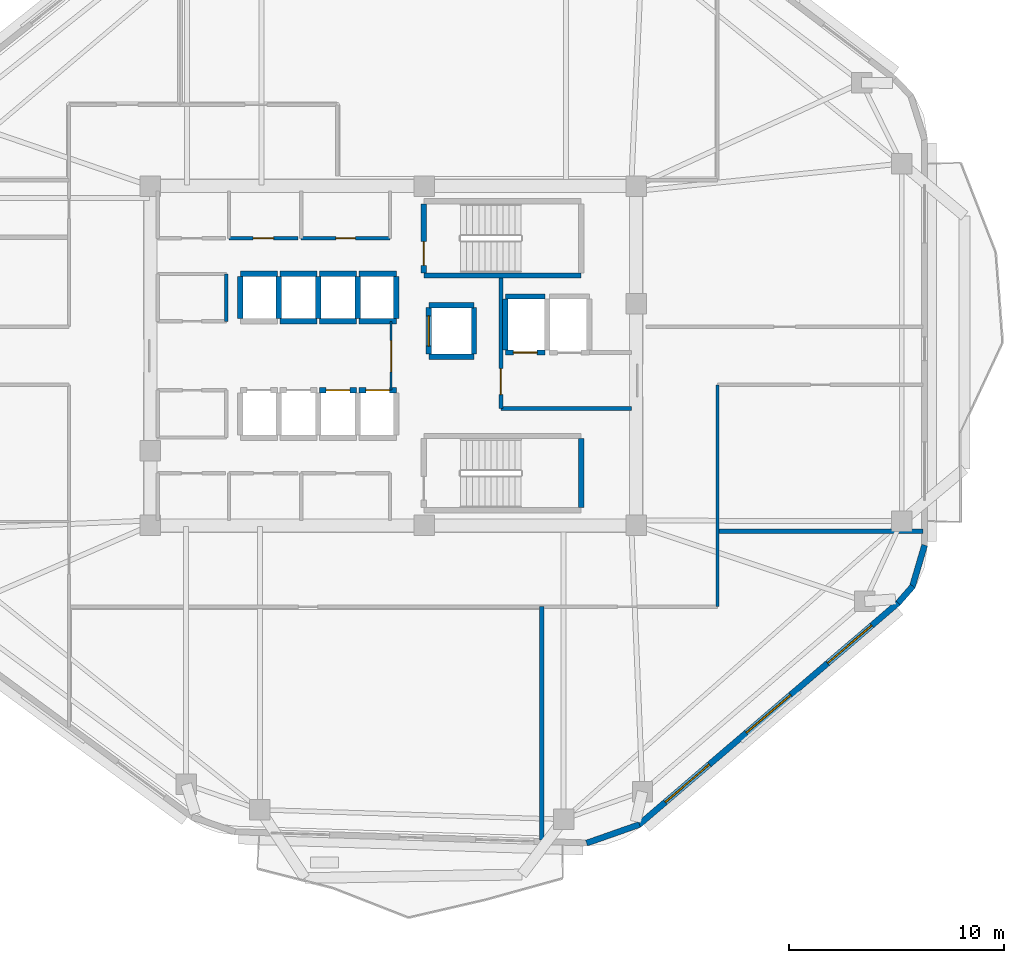
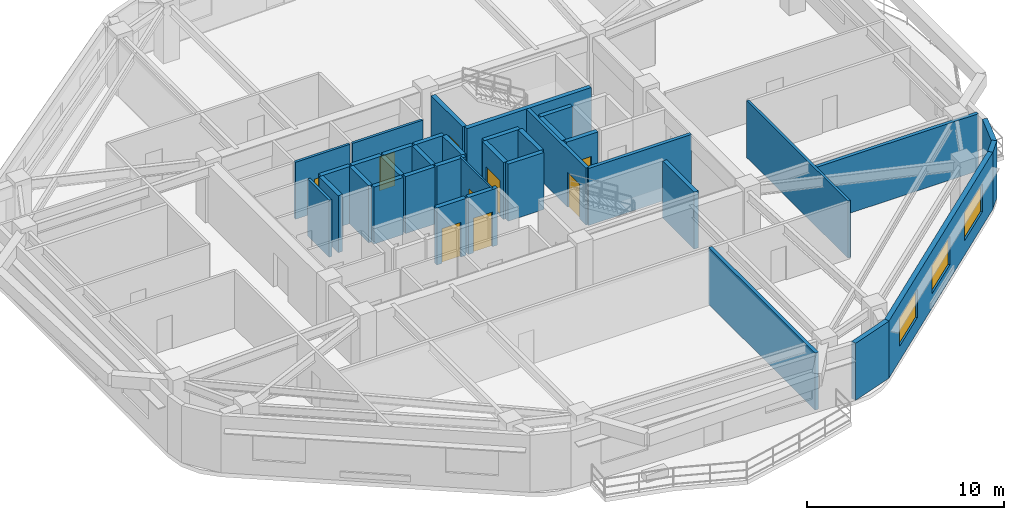
# One storey, part 4 of 8: 37 walls, 9 doors, 3 windows, 12 openings.
"""IFC4 building model written with IfcOpenShell, lengths in metres."""

from ifc_helpers import new_model, si_unit, direction, frame, frame_2d, origin, place, context, subcontext, project, spatial, rectangle, extrude, material, layer, layer_set, type_object, element, fill, save


model = new_model("IFC4")

# Units and contexts
model_context = context("Model", 3, precision=1e-05, world=origin(), true_north=direction((0.0, 1.0)))
body_context = subcontext(model_context, "Body", "Model", "MODEL_VIEW")
ifc_project = project(units=[si_unit("LENGTHUNIT", "METRE"), si_unit("AREAUNIT", "SQUARE_METRE"), si_unit("VOLUMEUNIT", "CUBIC_METRE"), si_unit("PLANEANGLEUNIT", "RADIAN"), si_unit("MASSUNIT", "GRAM", prefix="KILO")], contexts=[model_context])

# Site, building, storey
site_placement = place(None, origin())
site = spatial("IfcSite", under=ifc_project, at=site_placement, CompositionType="ELEMENT")
building_placement = place(site_placement, origin())
building = spatial("IfcBuilding", under=site, at=building_placement, Name="Zulverin Broadcast Headquarters", CompositionType="ELEMENT")
storey_placement = place(building_placement, frame((0.0, 0.0, 166.800048828125)))
storey = spatial("IfcBuildingStorey", under=building, at=storey_placement, Name="L42", CompositionType="ELEMENT", Elevation=166.800048828125)

# Walls
ifc_material_1 = material(Name="Acoustic drywall steel stud", Category="steel")
ifc_layer_1 = layer(ifc_material_1, 0.199951171875, Name="Acoustic drywall steel stud", Category="steel")
ifc_layer_set_1 = layer_set([ifc_layer_1], Name="Acoustic drywall steel stud")
wall_type_1 = type_object("IfcWallType", Name="WL-ACOU-200", PredefinedType="PARTITIONING", material=ifc_layer_set_1)
wall_1_placement = place(storey_placement, frame((43.89990234375, 2.716552734375, 0.0), z_axis=(0.0, 0.0, 1.0), x_axis=(0.0, 1.0, 0.0)))
element("IfcWall", 1, at=wall_1_placement, inside=storey, type_object=wall_type_1, Name="L42 Room Partition Wall RP-03", PredefinedType="PARTITIONING", context=body_context, shape_type="SweptSolid", body=[
    extrude(rectangle(XDim=10.83349609375, YDim=0.199951171875, at=frame_2d((5.416748046875, 0.0))), origin(), (0.0, 0.0, 1.0), 3.5400390625),
])
wall_2_placement = place(storey_placement, frame((52.050048828125, 17.050048828125, 0.0), z_axis=(0.0, 0.0, 1.0), x_axis=(1.0, 0.0, 0.0)))
element("IfcWall", 2, at=wall_2_placement, inside=storey, type_object=wall_type_1, Name="L42 Room Partition Wall RP-09", PredefinedType="PARTITIONING", context=body_context, shape_type="SweptSolid", body=[
    extrude(rectangle(XDim=9.544921875, YDim=0.199951171875, at=frame_2d((4.7724609375, 0.0))), origin(), (0.0, 0.0, 1.0), 3.5400390625),
])

# Wall, openings, windows
ifc_material_2 = material(Name="Insulated pale-metal clad concrete spandrel C40/50", Category="concrete")
ifc_layer_2 = layer(ifc_material_2, 0.280029296875, Name="Insulated pale-metal clad concrete spandrel C40/50", Category="concrete")
ifc_layer_set_2 = layer_set([ifc_layer_2], Name="Insulated pale-metal clad concrete spandrel C40/50")
wall_type_2 = type_object("IfcWallType", Name="WL-EXT-280", PredefinedType="STANDARD", material=ifc_layer_set_2)
wall_3_placement = place(storey_placement, frame((48.38525390625, 3.413818359375, 0.0), z_axis=(0.0, 0.0, 1.0), x_axis=(0.759700260779, 0.650273414628, 0.0)))
wall_3 = element("IfcWall", 3, at=wall_3_placement, inside=storey, type_object=wall_type_2, Name="L42 Pale-Metal Clad Spandrel Wall 2", PredefinedType="STANDARD", context=body_context, shape_type="SweptSolid", body=[
    extrude(rectangle(XDim=15.880859375, YDim=0.280029296875, at=frame_2d((7.9404296875, 0.0))), origin(), (0.0, 0.0, 1.0), 3.5400390625),
])
opening_1_placement = place(wall_3_placement, frame((1.630126953125, 0.0, 0.89990234375)))
opening_1 = element("IfcOpeningElement", 4, at=opening_1_placement, cuts=wall_3, Name="Opening W-L42-E21", PredefinedType="OPENING", context=body_context, shape_type="SweptSolid", body=[
    extrude(rectangle(XDim=2.699951171875, YDim=1.75, at=frame_2d((1.35009765625, 0.875))), frame((0.0, 0.14990234375, 0.0), z_axis=(0.0, -1.0, 0.0), x_axis=(1.0, 0.0, 0.0)), (0.0, 0.0, 1.0), 0.300048828125),
])
opening_2_placement = place(wall_3_placement, frame((6.59033203125, 0.0, 0.89990234375)))
opening_2 = element("IfcOpeningElement", 5, at=opening_2_placement, cuts=wall_3, Name="Opening W-L42-E22", PredefinedType="OPENING", context=body_context, shape_type="SweptSolid", body=[
    extrude(rectangle(XDim=2.699951171875, YDim=1.75, at=frame_2d((1.35009765625, 0.875))), frame((0.0, 0.14990234375, 0.0), z_axis=(0.0, -1.0, 0.0), x_axis=(1.0, 0.0, 0.0)), (0.0, 0.0, 1.0), 0.300048828125),
])
opening_3_placement = place(wall_3_placement, frame((11.55078125, 0.0, 0.89990234375)))
opening_3 = element("IfcOpeningElement", 6, at=opening_3_placement, cuts=wall_3, Name="Opening W-L42-E23", PredefinedType="OPENING", context=body_context, shape_type="SweptSolid", body=[
    extrude(rectangle(XDim=2.699951171875, YDim=1.75, at=frame_2d((1.35009765625, 0.875))), frame((0.0, 0.14990234375, 0.0), z_axis=(0.0, -1.0, 0.0), x_axis=(1.0, 0.0, 0.0)), (0.0, 0.0, 1.0), 0.300048828125),
])
ifc_material_3 = material(Name="Pale anodized aluminium frame with solar-control low-E double glazing", Category="aluminium")
window_type = type_object("IfcWindowType", Name="WIN-TWR-2700", PartitioningType="SINGLE_PANEL", PredefinedType="WINDOW", material=ifc_material_3)
window_1_placement = place(opening_1_placement, origin())
window_1 = element("IfcWindow", 7, at=window_1_placement, inside=storey, type_object=window_type, Name="L42 Ribbon Glazing Window 2 1", OverallHeight=1.75, OverallWidth=2.699951171875, PartitioningType="SINGLE_PANEL", PredefinedType="WINDOW", context=body_context, shape_type="SweptSolid", body=[
    extrude(rectangle(XDim=2.699951171875, YDim=1.75, at=frame_2d((1.35009765625, 0.875))), frame((0.0, 0.030029296875, 0.0), z_axis=(0.0, -1.0, 0.0), x_axis=(1.0, 0.0, 0.0)), (0.0, 0.0, 1.0), 0.06005859375),
])
fill(opening_1, window_1)
window_2_placement = place(opening_2_placement, origin())
window_2 = element("IfcWindow", 8, at=window_2_placement, inside=storey, type_object=window_type, Name="L42 Ribbon Glazing Window 2 2", OverallHeight=1.75, OverallWidth=2.699951171875, PartitioningType="SINGLE_PANEL", PredefinedType="WINDOW", context=body_context, shape_type="SweptSolid", body=[
    extrude(rectangle(XDim=2.699951171875, YDim=1.75, at=frame_2d((1.35009765625, 0.875))), frame((0.0, 0.030029296875, 0.0), z_axis=(0.0, -1.0, 0.0), x_axis=(1.0, 0.0, 0.0)), (0.0, 0.0, 1.0), 0.06005859375),
])
fill(opening_2, window_2)
window_3_placement = place(opening_3_placement, origin())
window_3 = element("IfcWindow", 9, at=window_3_placement, inside=storey, type_object=window_type, Name="L42 Ribbon Glazing Window 2 3", OverallHeight=1.75, OverallWidth=2.699951171875, PartitioningType="SINGLE_PANEL", PredefinedType="WINDOW", context=body_context, shape_type="SweptSolid", body=[
    extrude(rectangle(XDim=2.699951171875, YDim=1.75, at=frame_2d((1.35009765625, 0.875))), frame((0.0, 0.030029296875, 0.0), z_axis=(0.0, -1.0, 0.0), x_axis=(1.0, 0.0, 0.0)), (0.0, 0.0, 1.0), 0.06005859375),
])
fill(opening_3, window_3)

# Walls
wall_4_placement = place(storey_placement, frame((45.974609375, 2.576416015625, 0.0), z_axis=(0.0, 0.0, 1.0), x_axis=(0.943377643365, 0.331720698781, 0.0)))
element("IfcWall", 10, at=wall_4_placement, inside=storey, type_object=wall_type_2, Name="L42 Wind-Shaped Corner Spandrel Wall 1-1", PredefinedType="STANDARD", context=body_context, shape_type="SweptSolid", body=[
    extrude(rectangle(XDim=2.6025390625, YDim=0.280029296875, at=frame_2d((1.30126953125, 0.0))), origin(), (0.0, 0.0, 1.0), 3.5400390625),
])
wall_5_placement = place(storey_placement, frame((60.435791015625, 13.7265625, 0.0), z_axis=(0.0, 0.0, 1.0), x_axis=(0.658571618609, 0.752518055041, 0.0)))
element("IfcWall", 11, at=wall_5_placement, inside=storey, type_object=wall_type_2, Name="L42 Wind-Shaped Corner Spandrel Wall 2-1", PredefinedType="STANDARD", context=body_context, shape_type="SweptSolid", body=[
    extrude(rectangle(XDim=1.03173828125, YDim=0.280029296875, at=frame_2d((0.515869140625, 0.0))), origin(), (0.0, 0.0, 1.0), 3.5400390625),
])
wall_6_placement = place(storey_placement, frame((61.08642578125, 14.450439453125, 0.0), z_axis=(0.0, 0.0, 1.0), x_axis=(0.283660953453, 0.958924639107, 0.0)))
element("IfcWall", 12, at=wall_6_placement, inside=storey, type_object=wall_type_2, Name="L42 Wind-Shaped Corner Spandrel Wall 2-2", PredefinedType="STANDARD", context=body_context, shape_type="SweptSolid", body=[
    extrude(rectangle(XDim=2.04248046875, YDim=0.280029296875, at=frame_2d((1.021240234375, 0.0))), origin(), (0.0, 0.0, 1.0), 3.5400390625),
])

# Wall, opening, door
ifc_material_4 = material(Name="Concrete C40/50", Category="concrete")
ifc_layer_3 = layer(ifc_material_4, 0.199951171875, Name="Concrete C40/50", Category="concrete")
ifc_layer_set_3 = layer_set([ifc_layer_3], Name="Concrete C40/50")
wall_type_3 = type_object("IfcWallType", Name="WL-FFL-200", PredefinedType="SOLIDWALL", material=ifc_layer_set_3)
wall_7_placement = place(storey_placement, frame((42.0, 22.75, 0.0), z_axis=(0.0, 0.0, 1.0), x_axis=(0.0, 1.0, 0.0)))
wall_7 = element("IfcWall", 13, at=wall_7_placement, inside=storey, type_object=wall_type_3, Name="L42 Firefighting Lift Lobby West Wall", PredefinedType="SOLIDWALL", context=body_context, shape_type="SweptSolid", body=[
    extrude(rectangle(XDim=6.050048828125, YDim=0.199951171875, at=frame_2d((3.02490234375, 0.0))), origin(), (0.0, 0.0, 1.0), 3.5400390625),
])
opening_4_placement = place(wall_7_placement, frame((0.64990234375, 0.0, 0.0)))
opening_4 = element("IfcOpeningElement", 14, at=opening_4_placement, cuts=wall_7, Name="Opening D-L42-FFLW", PredefinedType="OPENING", context=body_context, shape_type="SweptSolid", body=[
    extrude(rectangle(XDim=1.199951171875, YDim=2.14990234375, at=frame_2d((0.60009765625, 1.074951171875))), frame((0.0, 0.10986328125, 0.0), z_axis=(0.0, -1.0, 0.0), x_axis=(1.0, 0.0, 0.0)), (0.0, 0.0, 1.0), 0.219970703125),
])
ifc_material_5 = material(Name="Fire-rated steel leaf and frame", Category="steel")
door_type_1 = type_object("IfcDoorType", Name="DR-FFL-1200", OperationType="SINGLE_SWING_RIGHT", PredefinedType="DOOR", material=ifc_material_5)
door_1_placement = place(opening_4_placement, origin())
door_1 = element("IfcDoor", 15, at=door_1_placement, inside=storey, type_object=door_type_1, Name="L42 Firefighting Lift Lobby Door", OperationType="SINGLE_SWING_RIGHT", OverallHeight=2.14990234375, OverallWidth=1.199951171875, PredefinedType="DOOR", context=body_context, shape_type="SweptSolid", body=[
    extrude(rectangle(XDim=1.199951171875, YDim=2.14990234375, at=frame_2d((0.60009765625, 1.074951171875))), frame((0.0, 0.02490234375, 0.0), z_axis=(0.0, -1.0, 0.0), x_axis=(1.0, 0.0, 0.0)), (0.0, 0.0, 1.0), 0.050048828125),
])
fill(opening_4, door_1)

# Wall
wall_8_placement = place(storey_placement, frame((42.0, 22.75, 0.0), z_axis=(0.0, 0.0, 1.0), x_axis=(1.0, 0.0, 0.0)))
element("IfcWall", 16, at=wall_8_placement, inside=storey, type_object=wall_type_3, Name="L42 Firefighting Lift Lobby South Wall", PredefinedType="SOLIDWALL", context=body_context, shape_type="SweptSolid", body=[
    extrude(rectangle(XDim=6.050048828125, YDim=0.199951171875, at=frame_2d((3.02490234375, 0.0))), origin(), (0.0, 0.0, 1.0), 3.5400390625),
])

# Wall, opening, door
ifc_material_6 = material(Name="Fire-rated acoustic laminated glass screen", Category="glass")
ifc_layer_4 = layer(ifc_material_6, 0.10009765625, Name="Fire-rated acoustic laminated glass screen", Category="glass")
ifc_layer_set_4 = layer_set([ifc_layer_4], Name="Fire-rated acoustic laminated glass screen")
wall_type_4 = type_object("IfcWallType", Name="WL-GLAZ-100", PredefinedType="PARTITIONING", material=ifc_layer_set_4)
wall_9_placement = place(storey_placement, frame((36.89990234375, 23.60009765625, 0.0), z_axis=(0.0, 0.0, 1.0), x_axis=(0.0, 1.0, 0.0)))
wall_9 = element("IfcWall", 17, at=wall_9_placement, inside=storey, type_object=wall_type_4, Name="L42 Core Goods & Stair Hall Screen", PredefinedType="PARTITIONING", context=body_context, shape_type="SweptSolid", body=[
    extrude(rectangle(XDim=3.199951171875, YDim=0.10009765625, at=frame_2d((1.60009765625, 0.0))), origin(), (0.0, 0.0, 1.0), 3.5400390625),
])
opening_5_placement = place(wall_9_placement, frame((0.85009765625, 0.0, 0.0)))
opening_5 = element("IfcOpeningElement", 18, at=opening_5_placement, cuts=wall_9, Name="Opening D-L42-CL3", PredefinedType="OPENING", context=body_context, shape_type="SweptSolid", body=[
    extrude(rectangle(XDim=1.449951171875, YDim=2.1201171875, at=frame_2d((0.72509765625, 1.06005859375))), frame((0.0, 0.06005859375, 0.0), z_axis=(0.0, -1.0, 0.0), x_axis=(1.0, 0.0, 0.0)), (0.0, 0.0, 1.0), 0.1201171875),
])
ifc_material_7 = material(Name="Fire-rated acoustic glazed double leaf", Category="glass")
door_type_2 = type_object("IfcDoorType", Name="DR-GLZ-1450", OperationType="DOUBLE_DOOR_SINGLE_SWING", PredefinedType="DOOR", material=ifc_material_7)
door_2_placement = place(opening_5_placement, origin())
door_2 = element("IfcDoor", 19, at=door_2_placement, inside=storey, type_object=door_type_2, Name="L42 Core Goods & Stair Hall Door", OperationType="DOUBLE_DOOR_SINGLE_SWING", OverallHeight=2.1201171875, OverallWidth=1.449951171875, PredefinedType="DOOR", context=body_context, shape_type="SweptSolid", body=[
    extrude(rectangle(XDim=1.449951171875, YDim=2.1201171875, at=frame_2d((0.72509765625, 1.06005859375))), frame((0.0, 0.02490234375, 0.0), z_axis=(0.0, -1.0, 0.0), x_axis=(1.0, 0.0, 0.0)), (0.0, 0.0, 1.0), 0.050048828125),
])
fill(opening_5, door_2)

ifc_material_8 = material(Name="Fire-rated gypsum stud partition", Category="gypsum")
ifc_layer_5 = layer(ifc_material_8, 0.14990234375, Name="Fire-rated gypsum stud partition", Category="gypsum")
ifc_layer_set_5 = layer_set([ifc_layer_5], Name="Fire-rated gypsum stud partition")
wall_type_5 = type_object("IfcWallType", Name="WL-PART-150", PredefinedType="PARTITIONING", material=ifc_layer_set_5)
wall_10_placement = place(storey_placement, frame((29.3798828125, 30.64990234375, 0.0), z_axis=(0.0, 0.0, 1.0), x_axis=(1.0, 0.0, 0.0)))
wall_10 = element("IfcWall", 20, at=wall_10_placement, inside=storey, type_object=wall_type_5, Name="L42 Core Accessible WC Front Wall", PredefinedType="PARTITIONING", context=body_context, shape_type="SweptSolid", body=[
    extrude(rectangle(XDim=3.190185546875, YDim=0.14990234375, at=frame_2d((1.59521484375, 0.0))), origin(), (0.0, 0.0, 1.0), 3.5400390625),
])
opening_6_placement = place(wall_10_placement, frame((1.1201171875, 0.0, 0.0)))
opening_6 = element("IfcOpeningElement", 21, at=opening_6_placement, cuts=wall_10, Name="Opening D-L42-NC2", PredefinedType="OPENING", context=body_context, shape_type="SweptSolid", body=[
    extrude(rectangle(XDim=0.949951171875, YDim=2.10009765625, at=frame_2d((0.47509765625, 1.050048828125))), frame((0.0, 0.0849609375, 0.0), z_axis=(0.0, -1.0, 0.0), x_axis=(1.0, 0.0, 0.0)), (0.0, 0.0, 1.0), 0.169921875),
])
ifc_material_9 = material(Name="Fire-rated moisture-resistant laminate leaf", Category="wood")
door_type_3 = type_object("IfcDoorType", Name="DR-WC-950", OperationType="SINGLE_SWING_LEFT", PredefinedType="DOOR", material=ifc_material_9)
door_3_placement = place(opening_6_placement, origin())
door_3 = element("IfcDoor", 22, at=door_3_placement, inside=storey, type_object=door_type_3, Name="L42 Accessible WC Door", OperationType="SINGLE_SWING_RIGHT", OverallHeight=2.10009765625, OverallWidth=0.949951171875, PredefinedType="DOOR", context=body_context, shape_type="SweptSolid", body=[
    extrude(rectangle(XDim=0.949951171875, YDim=2.10009765625, at=frame_2d((0.47509765625, 1.050048828125))), frame((0.0, 0.02490234375, 0.0), z_axis=(0.0, -1.0, 0.0), x_axis=(1.0, 0.0, 0.0)), (0.0, 0.0, 1.0), 0.050048828125),
])
fill(opening_6, door_3)

wall_11_placement = place(storey_placement, frame((32.72998046875, 30.64990234375, 0.0), z_axis=(0.0, 0.0, 1.0), x_axis=(1.0, 0.0, 0.0)))
wall_11 = element("IfcWall", 23, at=wall_11_placement, inside=storey, type_object=wall_type_5, Name="L42 Core Electrical Distribution Riser Front Wall", PredefinedType="PARTITIONING", context=body_context, shape_type="SweptSolid", body=[
    extrude(rectangle(XDim=4.1201171875, YDim=0.14990234375, at=frame_2d((2.06005859375, 0.0))), origin(), (0.0, 0.0, 1.0), 3.5400390625),
])
opening_7_placement = place(wall_11_placement, frame((1.610107421875, 0.0, 0.0)))
opening_7 = element("IfcOpeningElement", 24, at=opening_7_placement, cuts=wall_11, Name="Opening D-L42-NC3", PredefinedType="OPENING", context=body_context, shape_type="SweptSolid", body=[
    extrude(rectangle(XDim=0.89990234375, YDim=2.10009765625, at=frame_2d((0.449951171875, 1.050048828125))), frame((0.0, 0.0849609375, 0.0), z_axis=(0.0, -1.0, 0.0), x_axis=(1.0, 0.0, 0.0)), (0.0, 0.0, 1.0), 0.169921875),
])
ifc_material_10 = material(Name="Powder-coated steel access leaf", Category="steel")
door_type_4 = type_object("IfcDoorType", Name="DR-RISER-900", OperationType="SINGLE_SWING_LEFT", PredefinedType="DOOR", material=ifc_material_10)
door_4_placement = place(opening_7_placement, origin())
door_4 = element("IfcDoor", 25, at=door_4_placement, inside=storey, type_object=door_type_4, Name="L42 Electrical Distribution Riser Door", OperationType="SINGLE_SWING_LEFT", OverallHeight=2.10009765625, OverallWidth=0.89990234375, PredefinedType="DOOR", context=body_context, shape_type="SweptSolid", body=[
    extrude(rectangle(XDim=0.89990234375, YDim=2.10009765625, at=frame_2d((0.449951171875, 1.050048828125))), frame((0.0, 0.02490234375, 0.0), z_axis=(0.0, -1.0, 0.0), x_axis=(1.0, 0.0, 0.0)), (0.0, 0.0, 1.0), 0.050048828125),
])
fill(opening_7, door_4)

# Walls
wall_12_placement = place(storey_placement, frame((29.25, 26.800048828125, 0.0), z_axis=(0.0, 0.0, 1.0), x_axis=(0.0, 1.0, 0.0)))
element("IfcWall", 26, at=wall_12_placement, inside=storey, type_object=wall_type_5, Name="L42 Core UPS Battery Store E Wall", PredefinedType="PARTITIONING", context=body_context, shape_type="SweptSolid", body=[
    extrude(rectangle(XDim=2.199951171875, YDim=0.14990234375, at=frame_2d((1.10009765625, 0.0))), origin(), (0.0, 0.0, 1.0), 3.5400390625),
])
wall_13_placement = place(storey_placement, frame((52.050048828125, 13.550048828125, 0.0), z_axis=(0.0, 0.0, 1.0), x_axis=(0.0, 1.0, 0.0)))
element("IfcWall", 27, at=wall_13_placement, inside=storey, type_object=wall_type_5, Name="L42 Gallery Partition Wall CG-01", PredefinedType="PARTITIONING", context=body_context, shape_type="SweptSolid", body=[
    extrude(rectangle(XDim=10.300048828125, YDim=0.14990234375, at=frame_2d((5.14990234375, 0.0))), origin(), (0.0, 0.0, 1.0), 3.5400390625),
])
ifc_material_11 = material(Name="Concrete C50/60", Category="concrete")
ifc_layer_6 = layer(ifc_material_11, 0.25, Name="Concrete C50/60", Category="concrete")
ifc_layer_set_6 = layer_set([ifc_layer_6], Name="Concrete C50/60")
wall_type_6 = type_object("IfcWallType", Name="WL-SHAFT-250", PredefinedType="SHEAR", material=ifc_layer_set_6)
wall_14_placement = place(storey_placement, frame((38.425048828125, 28.925048828125, 0.0), z_axis=(0.0, 0.0, 1.0), x_axis=(1.0, 0.0, 0.0)))
element("IfcWall", 28, at=wall_14_placement, inside=storey, type_object=wall_type_6, Name="L42 ST-1 Enclosure Wall S", PredefinedType="SHEAR", context=body_context, shape_type="SweptSolid", body=[
    extrude(rectangle(XDim=7.300048828125, YDim=0.25, at=frame_2d((3.64990234375, 0.0))), origin(), (0.0, 0.0, 1.0), 3.5400390625),
])

# Wall, opening, door
wall_15_placement = place(storey_placement, frame((38.425048828125, 29.050048828125, 0.0), z_axis=(0.0, 0.0, 1.0), x_axis=(0.0, 1.0, 0.0)))
wall_15 = element("IfcWall", 29, at=wall_15_placement, inside=storey, type_object=wall_type_6, Name="L42 ST-1 Enclosure Wall W", PredefinedType="SHEAR", context=body_context, shape_type="SweptSolid", body=[
    extrude(rectangle(XDim=3.199951171875, YDim=0.25, at=frame_2d((1.60009765625, 0.0))), origin(), (0.0, 0.0, 1.0), 3.5400390625),
])
opening_8_placement = place(wall_15_placement, frame((0.35009765625, 0.0, 0.0)))
opening_8 = element("IfcOpeningElement", 30, at=opening_8_placement, cuts=wall_15, Name="Opening D-L42-ST-1", PredefinedType="OPENING", context=body_context, shape_type="SweptSolid", body=[
    extrude(rectangle(XDim=1.10009765625, YDim=2.14990234375, at=frame_2d((0.550048828125, 1.074951171875))), frame((0.0, 0.135009765625, 0.0), z_axis=(0.0, -1.0, 0.0), x_axis=(1.0, 0.0, 0.0)), (0.0, 0.0, 1.0), 0.27001953125),
])
door_type_5 = type_object("IfcDoorType", Name="DR-STAIR-1100", OperationType="SINGLE_SWING_LEFT", PredefinedType="DOOR", material=ifc_material_5)
door_5_placement = place(opening_8_placement, origin())
door_5 = element("IfcDoor", 31, at=door_5_placement, inside=storey, type_object=door_type_5, Name="L42 Exit Stair ST-1 Fire Door", OperationType="SINGLE_SWING_LEFT", OverallHeight=2.14990234375, OverallWidth=1.10009765625, PredefinedType="DOOR", context=body_context, shape_type="SweptSolid", body=[
    extrude(rectangle(XDim=1.10009765625, YDim=2.14990234375, at=frame_2d((0.550048828125, 1.074951171875))), frame((0.0, 0.02490234375, 0.0), z_axis=(0.0, -1.0, 0.0), x_axis=(1.0, 0.0, 0.0)), (0.0, 0.0, 1.0), 0.050048828125),
])
fill(opening_8, door_5)

# Wall
wall_16_placement = place(storey_placement, frame((45.72509765625, 18.14990234375, 0.0), z_axis=(0.0, 0.0, 1.0), x_axis=(0.0, 1.0, 0.0)))
element("IfcWall", 32, at=wall_16_placement, inside=storey, type_object=wall_type_6, Name="L42 ST-2 Enclosure Wall E", PredefinedType="SHEAR", context=body_context, shape_type="SweptSolid", body=[
    extrude(rectangle(XDim=3.2001953125, YDim=0.25, at=frame_2d((1.60009765625, 0.0))), origin(), (0.0, 0.0, 1.0), 3.5400390625),
])

# Wall, opening, door
wall_17_placement = place(storey_placement, frame((33.580078125, 23.60009765625, 0.0), z_axis=(0.0, 0.0, 1.0), x_axis=(1.0, 0.0, 0.0)))
wall_17 = element("IfcWall", 33, at=wall_17_placement, inside=storey, type_object=wall_type_6, Name="L42 Lift PL-M3 Shaft Wall N", PredefinedType="SHEAR", context=body_context, shape_type="SweptSolid", body=[
    extrude(rectangle(XDim=1.719970703125, YDim=0.25, at=frame_2d((0.85986328125, 0.0))), origin(), (0.0, 0.0, 1.0), 3.5400390625),
])
opening_9_placement = place(wall_17_placement, frame((0.31005859375, 0.0, 0.0)))
opening_9 = element("IfcOpeningElement", 34, at=opening_9_placement, cuts=wall_17, Name="Opening LD-PL-M3-L42", PredefinedType="OPENING", context=body_context, shape_type="SweptSolid", body=[
    extrude(rectangle(XDim=1.10009765625, YDim=2.14990234375, at=frame_2d((0.550048828125, 1.074951171875))), frame((0.0, 0.135009765625, 0.0), z_axis=(0.0, -1.0, 0.0), x_axis=(1.0, 0.0, 0.0)), (0.0, 0.0, 1.0), 0.27001953125),
])
ifc_material_12 = material(Name="Brushed stainless steel landing", Category="steel")
door_type_6 = type_object("IfcDoorType", Name="LD-PASS-1100", OperationType="DOUBLE_DOOR_SLIDING", PredefinedType="DOOR", material=ifc_material_12)
door_6_placement = place(opening_9_placement, origin())
door_6 = element("IfcDoor", 35, at=door_6_placement, inside=storey, type_object=door_type_6, Name="L42 Lift PL-M3 Sliding Landing Door", OperationType="DOUBLE_DOOR_SLIDING", OverallHeight=2.14990234375, OverallWidth=1.10009765625, PredefinedType="DOOR", context=body_context, shape_type="SweptSolid", body=[
    extrude(rectangle(XDim=1.10009765625, YDim=2.14990234375, at=frame_2d((0.550048828125, 1.074951171875))), frame((0.0, 0.02490234375, 0.0), z_axis=(0.0, -1.0, 0.0), x_axis=(1.0, 0.0, 0.0)), (0.0, 0.0, 1.0), 0.050048828125),
])
fill(opening_9, door_6)

wall_18_placement = place(storey_placement, frame((35.419921875, 23.60009765625, 0.0), z_axis=(0.0, 0.0, 1.0), x_axis=(1.0, 0.0, 0.0)))
wall_18 = element("IfcWall", 36, at=wall_18_placement, inside=storey, type_object=wall_type_6, Name="L42 Lift PL-M4 Shaft Wall N", PredefinedType="SHEAR", context=body_context, shape_type="SweptSolid", body=[
    extrude(rectangle(XDim=1.719970703125, YDim=0.25, at=frame_2d((0.85986328125, 0.0))), origin(), (0.0, 0.0, 1.0), 3.5400390625),
])
opening_10_placement = place(wall_18_placement, frame((0.31005859375, 0.0, 0.0)))
opening_10 = element("IfcOpeningElement", 37, at=opening_10_placement, cuts=wall_18, Name="Opening LD-PL-M4-L42", PredefinedType="OPENING", context=body_context, shape_type="SweptSolid", body=[
    extrude(rectangle(XDim=1.10009765625, YDim=2.14990234375, at=frame_2d((0.550048828125, 1.074951171875))), frame((0.0, 0.135009765625, 0.0), z_axis=(0.0, -1.0, 0.0), x_axis=(1.0, 0.0, 0.0)), (0.0, 0.0, 1.0), 0.27001953125),
])
door_7_placement = place(opening_10_placement, origin())
door_7 = element("IfcDoor", 38, at=door_7_placement, inside=storey, type_object=door_type_6, Name="L42 Lift PL-M4 Sliding Landing Door", OperationType="DOUBLE_DOOR_SLIDING", OverallHeight=2.14990234375, OverallWidth=1.10009765625, PredefinedType="DOOR", context=body_context, shape_type="SweptSolid", body=[
    extrude(rectangle(XDim=1.10009765625, YDim=2.14990234375, at=frame_2d((0.550048828125, 1.074951171875))), frame((0.0, 0.02490234375, 0.0), z_axis=(0.0, -1.0, 0.0), x_axis=(1.0, 0.0, 0.0)), (0.0, 0.0, 1.0), 0.050048828125),
])
fill(opening_10, door_7)

# Walls
wall_19_placement = place(storey_placement, frame((29.89990234375, 29.0, 0.0), z_axis=(0.0, 0.0, 1.0), x_axis=(1.0, 0.0, 0.0)))
element("IfcWall", 39, at=wall_19_placement, inside=storey, type_object=wall_type_6, Name="L42 Lift PL-H1 Shaft Wall N", PredefinedType="SHEAR", context=body_context, shape_type="SweptSolid", body=[
    extrude(rectangle(XDim=1.72021484375, YDim=0.25, at=frame_2d((0.860107421875, 0.0))), origin(), (0.0, 0.0, 1.0), 3.5400390625),
])
for number, where, z_axis, x_axis, name in (
    (40, (29.89990234375, 26.919921875, 0.0), (0.0, 0.0, 1.0), (0.0, 1.0, 0.0), "L42 Lift PL-H1 Shaft Wall W"),
    (41, (31.679931640625, 26.919921875, 0.0), (0.0, 0.0, 1.0), (0.0, 1.0, 0.0), "L42 Lift PL-H1 Shaft Wall E"),
):
    element("IfcWall", number, at=place(storey_placement, frame(where, z_axis=z_axis, x_axis=x_axis)), inside=storey, type_object=wall_type_6, Name=name, PredefinedType="SHEAR", context=body_context, shape_type="SweptSolid", body=[
        extrude(rectangle(XDim=1.9599609375, YDim=0.25, at=frame_2d((0.97998046875, 0.0))), origin(), (0.0, 0.0, 1.0), 3.5400390625),
    ])
for number, where, z_axis, x_axis, name in (
    (42, (31.739990234375, 26.800048828125, 0.0), (0.0, 0.0, 1.0), (1.0, 0.0, 0.0), "L42 Lift PL-H2 Shaft Wall S"),
    (43, (31.739990234375, 29.0, 0.0), (0.0, 0.0, 1.0), (1.0, 0.0, 0.0), "L42 Lift PL-H2 Shaft Wall N"),
):
    element("IfcWall", number, at=place(storey_placement, frame(where, z_axis=z_axis, x_axis=x_axis)), inside=storey, type_object=wall_type_6, Name=name, PredefinedType="SHEAR", context=body_context, shape_type="SweptSolid", body=[
        extrude(rectangle(XDim=1.719970703125, YDim=0.25, at=frame_2d((0.85986328125, 0.0))), origin(), (0.0, 0.0, 1.0), 3.5400390625),
    ])
wall_20_placement = place(storey_placement, frame((33.52001953125, 26.919921875, 0.0), z_axis=(0.0, 0.0, 1.0), x_axis=(0.0, 1.0, 0.0)))
element("IfcWall", 44, at=wall_20_placement, inside=storey, type_object=wall_type_6, Name="L42 Lift PL-H2 Shaft Wall E", PredefinedType="SHEAR", context=body_context, shape_type="SweptSolid", body=[
    extrude(rectangle(XDim=1.9599609375, YDim=0.25, at=frame_2d((0.97998046875, 0.0))), origin(), (0.0, 0.0, 1.0), 3.5400390625),
])
for number, where, z_axis, x_axis, name in (
    (45, (33.580078125, 26.800048828125, 0.0), (0.0, 0.0, 1.0), (1.0, 0.0, 0.0), "L42 Lift PL-H3 Shaft Wall S"),
    (46, (33.580078125, 29.0, 0.0), (0.0, 0.0, 1.0), (1.0, 0.0, 0.0), "L42 Lift PL-H3 Shaft Wall N"),
):
    element("IfcWall", number, at=place(storey_placement, frame(where, z_axis=z_axis, x_axis=x_axis)), inside=storey, type_object=wall_type_6, Name=name, PredefinedType="SHEAR", context=body_context, shape_type="SweptSolid", body=[
        extrude(rectangle(XDim=1.719970703125, YDim=0.25, at=frame_2d((0.85986328125, 0.0))), origin(), (0.0, 0.0, 1.0), 3.5400390625),
    ])
wall_21_placement = place(storey_placement, frame((35.360107421875, 26.919921875, 0.0), z_axis=(0.0, 0.0, 1.0), x_axis=(0.0, 1.0, 0.0)))
element("IfcWall", 47, at=wall_21_placement, inside=storey, type_object=wall_type_6, Name="L42 Lift PL-H3 Shaft Wall E", PredefinedType="SHEAR", context=body_context, shape_type="SweptSolid", body=[
    extrude(rectangle(XDim=1.9599609375, YDim=0.25, at=frame_2d((0.97998046875, 0.0))), origin(), (0.0, 0.0, 1.0), 3.5400390625),
])
for number, where, z_axis, x_axis, name in (
    (48, (35.419921875, 26.800048828125, 0.0), (0.0, 0.0, 1.0), (1.0, 0.0, 0.0), "L42 Lift PL-H4 Shaft Wall S"),
    (49, (35.419921875, 29.0, 0.0), (0.0, 0.0, 1.0), (1.0, 0.0, 0.0), "L42 Lift PL-H4 Shaft Wall N"),
):
    element("IfcWall", number, at=place(storey_placement, frame(where, z_axis=z_axis, x_axis=x_axis)), inside=storey, type_object=wall_type_6, Name=name, PredefinedType="SHEAR", context=body_context, shape_type="SweptSolid", body=[
        extrude(rectangle(XDim=1.719970703125, YDim=0.25, at=frame_2d((0.85986328125, 0.0))), origin(), (0.0, 0.0, 1.0), 3.5400390625),
    ])
wall_22_placement = place(storey_placement, frame((37.139892578125, 26.919921875, 0.0), z_axis=(0.0, 0.0, 1.0), x_axis=(0.0, 1.0, 0.0)))
element("IfcWall", 50, at=wall_22_placement, inside=storey, type_object=wall_type_6, Name="L42 Lift PL-H4 Shaft Wall E", PredefinedType="SHEAR", context=body_context, shape_type="SweptSolid", body=[
    extrude(rectangle(XDim=1.9599609375, YDim=0.25, at=frame_2d((0.97998046875, 0.0))), origin(), (0.0, 0.0, 1.0), 3.5400390625),
])

# Wall, opening, door
wall_23_placement = place(storey_placement, frame((42.199951171875, 25.35009765625, 0.0), z_axis=(0.0, 0.0, 1.0), x_axis=(1.0, 0.0, 0.0)))
wall_23 = element("IfcWall", 51, at=wall_23_placement, inside=storey, type_object=wall_type_6, Name="L42 Lift FFL-1 Shaft Wall S", PredefinedType="SHEAR", context=body_context, shape_type="SweptSolid", body=[
    extrude(rectangle(XDim=1.85009765625, YDim=0.25, at=frame_2d((0.925048828125, 0.0))), origin(), (0.0, 0.0, 1.0), 3.5400390625),
])
opening_11_placement = place(wall_23_placement, frame((0.375, 0.0, 0.0)))
opening_11 = element("IfcOpeningElement", 52, at=opening_11_placement, cuts=wall_23, Name="Opening LD-FFL-1-L42", PredefinedType="OPENING", context=body_context, shape_type="SweptSolid", body=[
    extrude(rectangle(XDim=1.10009765625, YDim=2.14990234375, at=frame_2d((0.550048828125, 1.074951171875))), frame((0.0, 0.135009765625, 0.0), z_axis=(0.0, -1.0, 0.0), x_axis=(1.0, 0.0, 0.0)), (0.0, 0.0, 1.0), 0.27001953125),
])
ifc_material_13 = material(Name="Fire-rated stainless landing door", Category="steel")
door_type_7 = type_object("IfcDoorType", Name="LD-FFL-1100", OperationType="DOUBLE_DOOR_SLIDING", PredefinedType="DOOR", material=ifc_material_13)
door_8_placement = place(opening_11_placement, origin())
door_8 = element("IfcDoor", 53, at=door_8_placement, inside=storey, type_object=door_type_7, Name="L42 Lift FFL-1 Sliding Landing Door", OperationType="DOUBLE_DOOR_SLIDING", OverallHeight=2.14990234375, OverallWidth=1.10009765625, PredefinedType="DOOR", context=body_context, shape_type="SweptSolid", body=[
    extrude(rectangle(XDim=1.10009765625, YDim=2.14990234375, at=frame_2d((0.550048828125, 1.074951171875))), frame((0.0, 0.02490234375, 0.0), z_axis=(0.0, -1.0, 0.0), x_axis=(1.0, 0.0, 0.0)), (0.0, 0.0, 1.0), 0.050048828125),
])
fill(opening_11, door_8)

# Walls
wall_24_placement = place(storey_placement, frame((42.199951171875, 27.949951171875, 0.0), z_axis=(0.0, 0.0, 1.0), x_axis=(1.0, 0.0, 0.0)))
element("IfcWall", 54, at=wall_24_placement, inside=storey, type_object=wall_type_6, Name="L42 Lift FFL-1 Shaft Wall N", PredefinedType="SHEAR", context=body_context, shape_type="SweptSolid", body=[
    extrude(rectangle(XDim=1.85009765625, YDim=0.25, at=frame_2d((0.925048828125, 0.0))), origin(), (0.0, 0.0, 1.0), 3.5400390625),
])
wall_25_placement = place(storey_placement, frame((42.199951171875, 25.469970703125, 0.0), z_axis=(0.0, 0.0, 1.0), x_axis=(0.0, 1.0, 0.0)))
element("IfcWall", 55, at=wall_25_placement, inside=storey, type_object=wall_type_6, Name="L42 Lift FFL-1 Shaft Wall W", PredefinedType="SHEAR", context=body_context, shape_type="SweptSolid", body=[
    extrude(rectangle(XDim=2.360107421875, YDim=0.25, at=frame_2d((1.18017578125, 0.0))), origin(), (0.0, 0.0, 1.0), 3.5400390625),
])
for number, where, z_axis, x_axis, name in (
    (56, (38.64990234375, 25.14990234375, 0.0), (0.0, 0.0, 1.0), (1.0, 0.0, 0.0), "L42 Lift SVL-1 Shaft Wall S"),
    (57, (38.64990234375, 27.550048828125, 0.0), (0.0, 0.0, 1.0), (1.0, 0.0, 0.0), "L42 Lift SVL-1 Shaft Wall N"),
):
    element("IfcWall", number, at=place(storey_placement, frame(where, z_axis=z_axis, x_axis=x_axis)), inside=storey, type_object=wall_type_6, Name=name, PredefinedType="SHEAR", context=body_context, shape_type="SweptSolid", body=[
        extrude(rectangle(XDim=2.10009765625, YDim=0.25, at=frame_2d((1.050048828125, 0.0))), origin(), (0.0, 0.0, 1.0), 3.5400390625),
    ])

# Wall, opening, door
wall_26_placement = place(storey_placement, frame((38.64990234375, 25.27001953125, 0.0), z_axis=(0.0, 0.0, 1.0), x_axis=(0.0, 1.0, 0.0)))
wall_26 = element("IfcWall", 58, at=wall_26_placement, inside=storey, type_object=wall_type_6, Name="L42 Lift SVL-1 Shaft Wall W", PredefinedType="SHEAR", context=body_context, shape_type="SweptSolid", body=[
    extrude(rectangle(XDim=2.159912109375, YDim=0.25, at=frame_2d((1.080078125, 0.0))), origin(), (0.0, 0.0, 1.0), 3.5400390625),
])
opening_12_placement = place(wall_26_placement, frame((0.3798828125, 0.0, 0.0)))
opening_12 = element("IfcOpeningElement", 59, at=opening_12_placement, cuts=wall_26, Name="Opening LD-SVL-1-L42", PredefinedType="OPENING", context=body_context, shape_type="SweptSolid", body=[
    extrude(rectangle(XDim=1.39990234375, YDim=2.199951171875, at=frame_2d((0.699951171875, 1.10009765625))), frame((0.0, 0.135009765625, 0.0), z_axis=(0.0, -1.0, 0.0), x_axis=(1.0, 0.0, 0.0)), (0.0, 0.0, 1.0), 0.27001953125),
])
ifc_material_14 = material(Name="Heavy-duty stainless landing door", Category="steel")
door_type_8 = type_object("IfcDoorType", Name="LD-GOODS-1400", OperationType="DOUBLE_DOOR_SLIDING", PredefinedType="DOOR", material=ifc_material_14)
door_9_placement = place(opening_12_placement, origin())
door_9 = element("IfcDoor", 60, at=door_9_placement, inside=storey, type_object=door_type_8, Name="L42 Lift SVL-1 Sliding Landing Door", OperationType="DOUBLE_DOOR_SLIDING", OverallHeight=2.199951171875, OverallWidth=1.39990234375, PredefinedType="DOOR", context=body_context, shape_type="SweptSolid", body=[
    extrude(rectangle(XDim=1.39990234375, YDim=2.199951171875, at=frame_2d((0.699951171875, 1.10009765625))), frame((0.0, 0.02490234375, 0.0), z_axis=(0.0, -1.0, 0.0), x_axis=(1.0, 0.0, 0.0)), (0.0, 0.0, 1.0), 0.050048828125),
])
fill(opening_12, door_9)

# Wall
wall_27_placement = place(storey_placement, frame((40.75, 25.27001953125, 0.0), z_axis=(0.0, 0.0, 1.0), x_axis=(0.0, 1.0, 0.0)))
element("IfcWall", 61, at=wall_27_placement, inside=storey, type_object=wall_type_6, Name="L42 Lift SVL-1 Shaft Wall E", PredefinedType="SHEAR", context=body_context, shape_type="SweptSolid", body=[
    extrude(rectangle(XDim=2.159912109375, YDim=0.25, at=frame_2d((1.080078125, 0.0))), origin(), (0.0, 0.0, 1.0), 3.5400390625),
])

save(model, "model.ifc")
